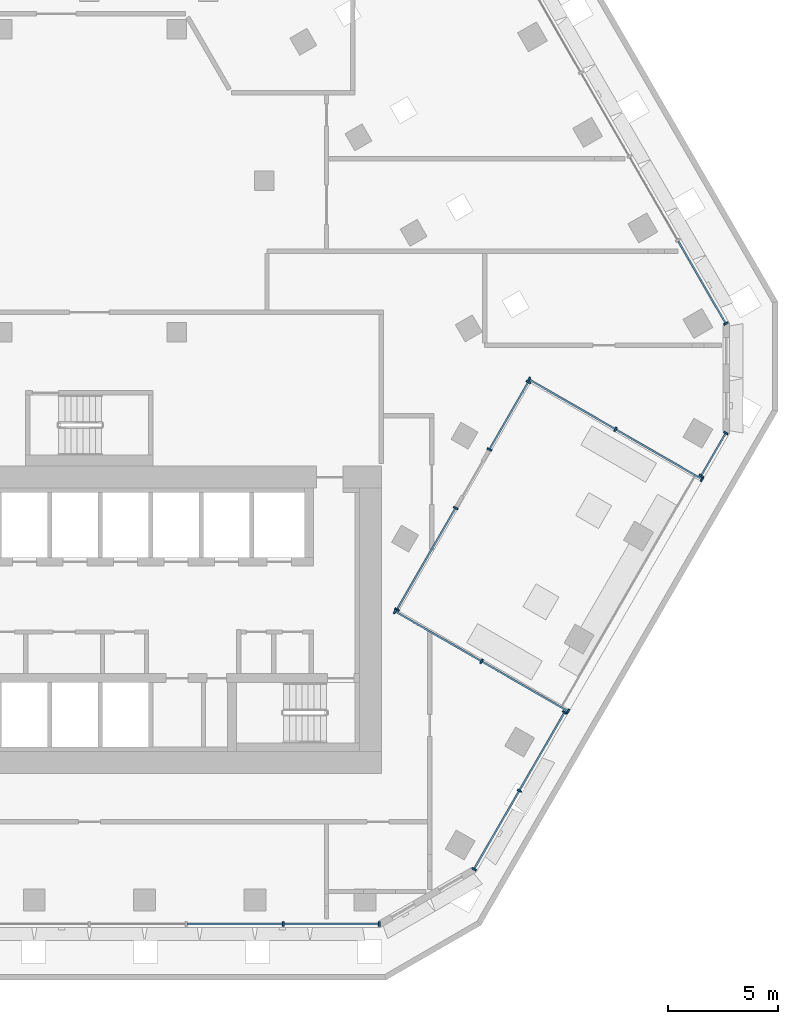
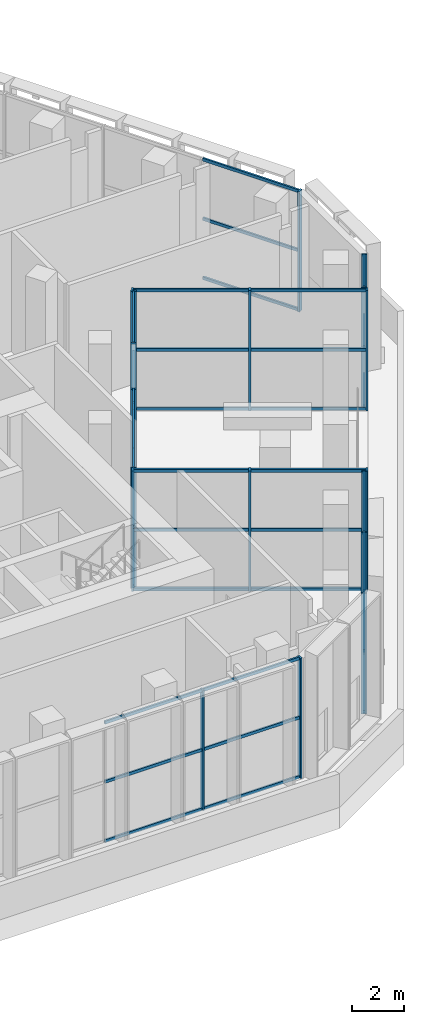
# One storey, part 3 of 23: 54 members, 8 elements without a shape of their own.
"""IFC4 building model written with IfcOpenShell, lengths in metres."""

from ifc_helpers import new_model, si_unit, direction, frame, origin, origin_2d, place, context, subcontext, project, spatial, rectangle, hollow_rectangle, extrude, material, material_profile, profile_set, type_object, element, aggregate, save


model = new_model("IFC4")

# Units and contexts
model_context = context("Model", 3, precision=1e-05, world=origin(), true_north=direction((0.0, 1.0)))
body_context = subcontext(model_context, "Body", "Model", "MODEL_VIEW")
ifc_project = project(units=[si_unit("LENGTHUNIT", "METRE"), si_unit("AREAUNIT", "SQUARE_METRE"), si_unit("VOLUMEUNIT", "CUBIC_METRE"), si_unit("PLANEANGLEUNIT", "RADIAN"), si_unit("MASSUNIT", "GRAM", prefix="KILO")], contexts=[model_context])

# Site, building, storey
site_placement = place(None, origin())
site = spatial("IfcSite", under=ifc_project, at=site_placement, CompositionType="ELEMENT")
building_placement = place(site_placement, origin())
building = spatial("IfcBuilding", under=site, at=building_placement, Name="Beryl Residences", CompositionType="ELEMENT")
storey_placement = place(building_placement, frame((0.0, 0.0, 66.0)))
storey = spatial("IfcBuildingStorey", under=building, at=storey_placement, Name="L20", CompositionType="ELEMENT", Elevation=66.0)

# Curtain wall, members
ifc_material_1 = material(Name="Aluminium and clear glass", Category="aluminium")
curtain_wall_type = type_object("IfcCurtainWallType", Name="CW3 sky garden glazing glazed wall", PredefinedType="NOTDEFINED", material=ifc_material_1)
curtain_wall_1_placement = place(storey_placement, origin())
curtain_wall_1 = element("IfcCurtainWall", 1, at=curtain_wall_1_placement, inside=storey, type_object=curtain_wall_type, Name="CW3 L20 S", PredefinedType="NOTDEFINED")
ifc_material_2 = material(Name="Aluminium", Category="aluminium")
ifc_material_profile_1 = material_profile(ifc_material_2, rectangle(XDim=0.080078125, YDim=0.219970703125, at=origin_2d()))
ifc_profile_set_1 = profile_set([ifc_material_profile_1], Name="Aluminium")
member_type_1 = type_object("IfcMemberType", Name="CW3-M mullion 80 x 220 mm", PredefinedType="MULLION", material=ifc_profile_set_1)
member_1_placement = place(storey_placement, frame((8.825927734375, -25.85009765625, 0.0), z_axis=(0.0, 0.0, 1.0), x_axis=(1.0, 0.0, 0.0)))
member_1 = element("IfcMember", 2, at=member_1_placement, type_object=member_type_1, Name="CW3 mullion 6", PredefinedType="MULLION", context=body_context, shape_type="SweptSolid", body=[
    extrude(rectangle(XDim=0.080078125, YDim=0.219970703125, at=origin_2d()), origin(), (0.0, 0.0, 1.0), 5.699951171875),
])
member_2_placement = place(storey_placement, frame((13.198974609375, -25.85009765625, 0.0), z_axis=(0.0, 0.0, 1.0), x_axis=(1.0, 0.0, 0.0)))
member_2 = element("IfcMember", 3, at=member_2_placement, type_object=member_type_1, Name="CW3 mullion 7", PredefinedType="MULLION", context=body_context, shape_type="SweptSolid", body=[
    extrude(rectangle(XDim=0.080078125, YDim=0.219970703125, at=origin_2d()), origin(), (0.0, 0.0, 1.0), 5.699951171875),
])

curtain_wall_2_placement = place(storey_placement, origin())
curtain_wall_2 = element("IfcCurtainWall", 4, at=curtain_wall_2_placement, inside=storey, type_object=curtain_wall_type, Name="CW3 L20 SE", PredefinedType="NOTDEFINED")
member_3_placement = place(storey_placement, frame((17.52001953125, -23.35546875, 0.0), z_axis=(0.0, 0.0, 1.0), x_axis=(0.500037611077, 0.86600368793, 0.0)))
member_3 = element("IfcMember", 5, at=member_3_placement, type_object=member_type_1, Name="CW3 mullion 1", PredefinedType="MULLION", context=body_context, shape_type="SweptSolid", body=[
    extrude(rectangle(XDim=0.080078125, YDim=0.219970703125, at=origin_2d()), origin(), (0.0, 0.0, 1.0), 5.699951171875),
])
member_4_placement = place(storey_placement, frame((19.5830078125, -19.782470703125, 0.0), z_axis=(0.0, 0.0, 1.0), x_axis=(0.500037611077, 0.86600368793, 0.0)))
member_4 = element("IfcMember", 6, at=member_4_placement, type_object=member_type_1, Name="CW3 mullion 2", PredefinedType="MULLION", context=body_context, shape_type="SweptSolid", body=[
    extrude(rectangle(XDim=0.080078125, YDim=0.219970703125, at=origin_2d()), origin(), (0.0, 0.0, 1.0), 5.699951171875),
])
member_5_placement = place(storey_placement, frame((21.64599609375, -16.209716796875, 0.0), z_axis=(0.0, 0.0, 1.0), x_axis=(0.500037611077, 0.86600368793, 0.0)))
member_5 = element("IfcMember", 7, at=member_5_placement, type_object=member_type_1, Name="CW3 mullion 3", PredefinedType="MULLION", context=body_context, shape_type="SweptSolid", body=[
    extrude(rectangle(XDim=0.080078125, YDim=0.219970703125, at=origin_2d()), origin(), (0.0, 0.0, 1.0), 5.699951171875),
])

curtain_wall_3_placement = place(storey_placement, origin())
curtain_wall_3 = element("IfcCurtainWall", 8, at=curtain_wall_3_placement, inside=storey, type_object=curtain_wall_type, Name="CW3 L20 SE", PredefinedType="NOTDEFINED")
member_6_placement = place(storey_placement, frame((27.861083984375, -5.4443359375, 0.0), z_axis=(0.0, 0.0, 1.0), x_axis=(0.500106088592, 0.865964144843, 0.0)))
member_6 = element("IfcMember", 9, at=member_6_placement, type_object=member_type_1, Name="CW3 mullion 1", PredefinedType="MULLION", context=body_context, shape_type="SweptSolid", body=[
    extrude(rectangle(XDim=0.080078125, YDim=0.219970703125, at=origin_2d()), origin(), (0.0, 0.0, 1.0), 5.699951171875),
])
member_7_placement = place(storey_placement, frame((28.987060546875, -3.49462890625, 0.0), z_axis=(0.0, 0.0, 1.0), x_axis=(0.500106088592, 0.865964144843, 0.0)))
member_7 = element("IfcMember", 10, at=member_7_placement, type_object=member_type_1, Name="CW3 mullion 2", PredefinedType="MULLION", context=body_context, shape_type="SweptSolid", body=[
    extrude(rectangle(XDim=0.080078125, YDim=0.219970703125, at=origin_2d()), origin(), (0.0, 0.0, 1.0), 5.699951171875),
])

# Curtain wall, member
curtain_wall_4_placement = place(storey_placement, origin())
curtain_wall_4 = element("IfcCurtainWall", 11, at=curtain_wall_4_placement, inside=storey, type_object=curtain_wall_type, Name="CW3 L20 NE", PredefinedType="NOTDEFINED")
member_8_placement = place(storey_placement, frame((28.987060546875, 1.49462890625, 0.0), z_axis=(0.0, 0.0, 1.0), x_axis=(-0.500010149942, 0.866019543634, 0.0)))
member_8 = element("IfcMember", 12, at=member_8_placement, type_object=member_type_1, Name="CW3 mullion 1", PredefinedType="MULLION", context=body_context, shape_type="SweptSolid", body=[
    extrude(rectangle(XDim=0.080078125, YDim=0.219970703125, at=origin_2d()), origin(), (0.0, 0.0, 1.0), 5.699951171875),
])

# Curtain wall, members
curtain_wall_5_placement = place(storey_placement, origin())
curtain_wall_5 = element("IfcCurtainWall", 13, at=curtain_wall_5_placement, inside=storey, type_object=curtain_wall_type, Name="CW3 L20 SE garden back", PredefinedType="NOTDEFINED")
member_9_placement = place(storey_placement, frame((14.010009765625, -11.535400390625, 0.0), z_axis=(0.0, 0.0, 1.0), x_axis=(0.499945861541, 0.866056658382, 0.0)))
member_9 = element("IfcMember", 14, at=member_9_placement, type_object=member_type_1, Name="CW3 mullion 1", PredefinedType="MULLION", context=body_context, shape_type="SweptSolid", body=[
    extrude(rectangle(XDim=0.080078125, YDim=0.219970703125, at=origin_2d()), origin(), (0.0, 0.0, 1.0), 5.699951171875),
])
member_10_placement = place(storey_placement, frame((16.681884765625, -6.90673828125, 0.0), z_axis=(0.0, 0.0, 1.0), x_axis=(0.499945861541, 0.866056658382, 0.0)))
member_10 = element("IfcMember", 15, at=member_10_placement, type_object=member_type_1, Name="CW3 mullion 2", PredefinedType="MULLION", context=body_context, shape_type="SweptSolid", body=[
    extrude(rectangle(XDim=0.080078125, YDim=0.219970703125, at=origin_2d()), origin(), (0.0, 0.0, 1.0), 5.699951171875),
])

curtain_wall_6_placement = place(storey_placement, origin())
curtain_wall_6 = element("IfcCurtainWall", 16, at=curtain_wall_6_placement, inside=storey, type_object=curtain_wall_type, Name="CW3 L20 SE garden back", PredefinedType="NOTDEFINED")
member_11_placement = place(storey_placement, frame((18.221923828125, -4.2392578125, 0.0), z_axis=(0.0, 0.0, 1.0), x_axis=(0.500024853773, 0.866011053976, 0.0)))
member_11 = element("IfcMember", 17, at=member_11_placement, type_object=member_type_1, Name="CW3 mullion 1", PredefinedType="MULLION", context=body_context, shape_type="SweptSolid", body=[
    extrude(rectangle(XDim=0.080078125, YDim=0.219970703125, at=origin_2d()), origin(), (0.0, 0.0, 1.0), 5.699951171875),
])
member_12_placement = place(storey_placement, frame((19.9951171875, -1.168701171875, 0.0), z_axis=(0.0, 0.0, 1.0), x_axis=(0.500024853773, 0.866011053976, 0.0)))
member_12 = element("IfcMember", 18, at=member_12_placement, type_object=member_type_1, Name="CW3 mullion 2", PredefinedType="MULLION", context=body_context, shape_type="SweptSolid", body=[
    extrude(rectangle(XDim=0.080078125, YDim=0.219970703125, at=origin_2d()), origin(), (0.0, 0.0, 1.0), 5.699951171875),
])

curtain_wall_7_placement = place(storey_placement, origin())
curtain_wall_7 = element("IfcCurtainWall", 19, at=curtain_wall_7_placement, inside=storey, type_object=curtain_wall_type, Name="CW3 L20 SE garden left", PredefinedType="NOTDEFINED")
member_13_placement = place(storey_placement, frame((21.79833984375, -16.1650390625, 0.0), z_axis=(0.0, 0.0, 1.0), x_axis=(-0.866007717298, 0.500030632642, 0.0)))
member_13 = element("IfcMember", 20, at=member_13_placement, type_object=member_type_1, Name="CW3 mullion 1", PredefinedType="MULLION", context=body_context, shape_type="SweptSolid", body=[
    extrude(rectangle(XDim=0.080078125, YDim=0.219970703125, at=origin_2d()), origin(), (0.0, 0.0, 1.0), 5.699951171875),
])
member_14_placement = place(storey_placement, frame((17.860107421875, -13.89111328125, 0.0), z_axis=(0.0, 0.0, 1.0), x_axis=(-0.866007717298, 0.500030632642, 0.0)))
member_14 = element("IfcMember", 21, at=member_14_placement, type_object=member_type_1, Name="CW3 mullion 2", PredefinedType="MULLION", context=body_context, shape_type="SweptSolid", body=[
    extrude(rectangle(XDim=0.080078125, YDim=0.219970703125, at=origin_2d()), origin(), (0.0, 0.0, 1.0), 5.699951171875),
])
member_15_placement = place(storey_placement, frame((13.921630859375, -11.616943359375, 0.0), z_axis=(0.0, 0.0, 1.0), x_axis=(-0.866007717298, 0.500030632642, 0.0)))
member_15 = element("IfcMember", 22, at=member_15_placement, type_object=member_type_1, Name="CW3 mullion 3", PredefinedType="MULLION", context=body_context, shape_type="SweptSolid", body=[
    extrude(rectangle(XDim=0.080078125, YDim=0.219970703125, at=origin_2d()), origin(), (0.0, 0.0, 1.0), 5.699951171875),
])

curtain_wall_8_placement = place(storey_placement, origin())
curtain_wall_8 = element("IfcCurtainWall", 23, at=curtain_wall_8_placement, inside=storey, type_object=curtain_wall_type, Name="CW3 L20 SE garden right", PredefinedType="NOTDEFINED")
member_16_placement = place(storey_placement, frame((27.8984375, -5.59912109375, 0.0), z_axis=(0.0, 0.0, 1.0), x_axis=(-0.866054910532, 0.499948889332, 0.0)))
member_16 = element("IfcMember", 24, at=member_16_placement, type_object=member_type_1, Name="CW3 mullion 1", PredefinedType="MULLION", context=body_context, shape_type="SweptSolid", body=[
    extrude(rectangle(XDim=0.080078125, YDim=0.219970703125, at=origin_2d()), origin(), (0.0, 0.0, 1.0), 5.699951171875),
])
member_17_placement = place(storey_placement, frame((23.9599609375, -3.325439453125, 0.0), z_axis=(0.0, 0.0, 1.0), x_axis=(-0.866054910532, 0.499948889332, 0.0)))
member_17 = element("IfcMember", 25, at=member_17_placement, type_object=member_type_1, Name="CW3 mullion 2", PredefinedType="MULLION", context=body_context, shape_type="SweptSolid", body=[
    extrude(rectangle(XDim=0.080078125, YDim=0.219970703125, at=origin_2d()), origin(), (0.0, 0.0, 1.0), 5.699951171875),
])
member_18_placement = place(storey_placement, frame((20.021728515625, -1.052001953125, 0.0), z_axis=(0.0, 0.0, 1.0), x_axis=(-0.866054910532, 0.499948889332, 0.0)))
member_18 = element("IfcMember", 26, at=member_18_placement, type_object=member_type_1, Name="CW3 mullion 3", PredefinedType="MULLION", context=body_context, shape_type="SweptSolid", body=[
    extrude(rectangle(XDim=0.080078125, YDim=0.219970703125, at=origin_2d()), origin(), (0.0, 0.0, 1.0), 5.699951171875),
])

# Member
ifc_material_3 = material(Name="Aluminium", Category="aluminium")
ifc_material_profile_2 = material_profile(ifc_material_3, hollow_rectangle(XDim=0.080078125, YDim=0.139892578125, WallThickness=0.00390625, at=origin_2d()))
ifc_profile_set_2 = profile_set([ifc_material_profile_2], Name="Aluminium")
member_type_2 = type_object("IfcMemberType", Name="CW3-T transom 80 x 140 mm", PredefinedType="USERDEFINED", material=ifc_profile_set_2)
member_19_placement = place(storey_placement, frame((4.452880859375, -25.85009765625, 0.0400390625), z_axis=(1.0, 0.0, 0.0), x_axis=(0.0, 1.0, 0.0)))
member_19 = element("IfcMember", 27, at=member_19_placement, type_object=member_type_2, Name="CW3 transom 5.1", ObjectType="TRANSOM", PredefinedType="USERDEFINED", context=body_context, shape_type="SweptSolid", body=[
    extrude(hollow_rectangle(XDim=0.080078125, YDim=0.139892578125, WallThickness=0.00390625, at=origin_2d()), origin(), (0.0, 0.0, 1.0), 4.3330078125),
])

member_20_placement = place(storey_placement, frame((4.452880859375, -25.85009765625, 2.85009765625), z_axis=(1.0, 0.0, 0.0), x_axis=(0.0, 1.0, 0.0)))
member_20 = element("IfcMember", 28, at=member_20_placement, type_object=member_type_2, Name="CW3 transom 5.2", ObjectType="TRANSOM", PredefinedType="USERDEFINED", context=body_context, shape_type="SweptSolid", body=[
    extrude(hollow_rectangle(XDim=0.080078125, YDim=0.139892578125, WallThickness=0.00390625, at=origin_2d()), origin(), (0.0, 0.0, 1.0), 4.3330078125),
])

member_21_placement = place(storey_placement, frame((4.452880859375, -25.85009765625, 5.659912109375), z_axis=(1.0, 0.0, 0.0), x_axis=(0.0, 1.0, 0.0)))
member_21 = element("IfcMember", 29, at=member_21_placement, type_object=member_type_2, Name="CW3 transom 5.3", ObjectType="TRANSOM", PredefinedType="USERDEFINED", context=body_context, shape_type="SweptSolid", body=[
    extrude(hollow_rectangle(XDim=0.080078125, YDim=0.139892578125, WallThickness=0.00390625, at=origin_2d()), origin(), (0.0, 0.0, 1.0), 4.3330078125),
])

member_22_placement = place(storey_placement, frame((8.865966796875, -25.85009765625, 0.0400390625), z_axis=(1.0, 0.0, 0.0), x_axis=(0.0, 1.0, 0.0)))
member_22 = element("IfcMember", 30, at=member_22_placement, type_object=member_type_2, Name="CW3 transom 6.1", ObjectType="TRANSOM", PredefinedType="USERDEFINED", context=body_context, shape_type="SweptSolid", body=[
    extrude(hollow_rectangle(XDim=0.080078125, YDim=0.139892578125, WallThickness=0.00390625, at=origin_2d()), origin(), (0.0, 0.0, 1.0), 4.29296875),
])

member_23_placement = place(storey_placement, frame((8.865966796875, -25.85009765625, 2.85009765625), z_axis=(1.0, 0.0, 0.0), x_axis=(0.0, 1.0, 0.0)))
member_23 = element("IfcMember", 31, at=member_23_placement, type_object=member_type_2, Name="CW3 transom 6.2", ObjectType="TRANSOM", PredefinedType="USERDEFINED", context=body_context, shape_type="SweptSolid", body=[
    extrude(hollow_rectangle(XDim=0.080078125, YDim=0.139892578125, WallThickness=0.00390625, at=origin_2d()), origin(), (0.0, 0.0, 1.0), 4.29296875),
])

member_24_placement = place(storey_placement, frame((8.865966796875, -25.85009765625, 5.659912109375), z_axis=(1.0, 0.0, 0.0), x_axis=(0.0, 1.0, 0.0)))
member_24 = element("IfcMember", 32, at=member_24_placement, type_object=member_type_2, Name="CW3 transom 6.3", ObjectType="TRANSOM", PredefinedType="USERDEFINED", context=body_context, shape_type="SweptSolid", body=[
    extrude(hollow_rectangle(XDim=0.080078125, YDim=0.139892578125, WallThickness=0.00390625, at=origin_2d()), origin(), (0.0, 0.0, 1.0), 4.29296875),
])

aggregate(curtain_wall_1, [member_1, member_2, member_19, member_20, member_21, member_22, member_23, member_24])

member_25_placement = place(storey_placement, frame((17.5400390625, -23.32080078125, 0.0400390625), z_axis=(0.500020198311, 0.86601374197, 0.0), x_axis=(-0.86601374197, 0.500020198311, 0.0)))
member_25 = element("IfcMember", 33, at=member_25_placement, type_object=member_type_2, Name="CW3 transom 1.1", ObjectType="TRANSOM", PredefinedType="USERDEFINED", context=body_context, shape_type="SweptSolid", body=[
    extrude(hollow_rectangle(XDim=0.080078125, YDim=0.139892578125, WallThickness=0.00390625, at=origin_2d()), origin(), (0.0, 0.0, 1.0), 4.045654296875),
])

member_26_placement = place(storey_placement, frame((17.5400390625, -23.32080078125, 2.85009765625), z_axis=(0.500020198311, 0.86601374197, 0.0), x_axis=(-0.86601374197, 0.500020198311, 0.0)))
member_26 = element("IfcMember", 34, at=member_26_placement, type_object=member_type_2, Name="CW3 transom 1.2", ObjectType="TRANSOM", PredefinedType="USERDEFINED", context=body_context, shape_type="SweptSolid", body=[
    extrude(hollow_rectangle(XDim=0.080078125, YDim=0.139892578125, WallThickness=0.00390625, at=origin_2d()), origin(), (0.0, 0.0, 1.0), 4.045654296875),
])

member_27_placement = place(storey_placement, frame((17.5400390625, -23.32080078125, 5.659912109375), z_axis=(0.500020198311, 0.86601374197, 0.0), x_axis=(-0.86601374197, 0.500020198311, 0.0)))
member_27 = element("IfcMember", 35, at=member_27_placement, type_object=member_type_2, Name="CW3 transom 1.3", ObjectType="TRANSOM", PredefinedType="USERDEFINED", context=body_context, shape_type="SweptSolid", body=[
    extrude(hollow_rectangle(XDim=0.080078125, YDim=0.139892578125, WallThickness=0.00390625, at=origin_2d()), origin(), (0.0, 0.0, 1.0), 4.045654296875),
])

member_28_placement = place(storey_placement, frame((19.60302734375, -19.747802734375, 0.0400390625), z_axis=(0.500046330384, 0.865998653272, 0.0), x_axis=(-0.865998653272, 0.500046330384, 0.0)))
member_28 = element("IfcMember", 36, at=member_28_placement, type_object=member_type_2, Name="CW3 transom 2.1", ObjectType="TRANSOM", PredefinedType="USERDEFINED", context=body_context, shape_type="SweptSolid", body=[
    extrude(hollow_rectangle(XDim=0.080078125, YDim=0.139892578125, WallThickness=0.00390625, at=origin_2d()), origin(), (0.0, 0.0, 1.0), 4.04541015625),
])

member_29_placement = place(storey_placement, frame((19.60302734375, -19.747802734375, 2.85009765625), z_axis=(0.500046330384, 0.865998653272, 0.0), x_axis=(-0.865998653272, 0.500046330384, 0.0)))
member_29 = element("IfcMember", 37, at=member_29_placement, type_object=member_type_2, Name="CW3 transom 2.2", ObjectType="TRANSOM", PredefinedType="USERDEFINED", context=body_context, shape_type="SweptSolid", body=[
    extrude(hollow_rectangle(XDim=0.080078125, YDim=0.139892578125, WallThickness=0.00390625, at=origin_2d()), origin(), (0.0, 0.0, 1.0), 4.04541015625),
])

member_30_placement = place(storey_placement, frame((19.60302734375, -19.747802734375, 5.659912109375), z_axis=(0.500046330384, 0.865998653272, 0.0), x_axis=(-0.865998653272, 0.500046330384, 0.0)))
member_30 = element("IfcMember", 38, at=member_30_placement, type_object=member_type_2, Name="CW3 transom 2.3", ObjectType="TRANSOM", PredefinedType="USERDEFINED", context=body_context, shape_type="SweptSolid", body=[
    extrude(hollow_rectangle(XDim=0.080078125, YDim=0.139892578125, WallThickness=0.00390625, at=origin_2d()), origin(), (0.0, 0.0, 1.0), 4.04541015625),
])

aggregate(curtain_wall_2, [member_3, member_4, member_5, member_25, member_26, member_27, member_28, member_29, member_30])

member_31_placement = place(storey_placement, frame((27.881103515625, -5.40966796875, 0.0400390625), z_axis=(0.5001052534, 0.865964627177, 0.0), x_axis=(-0.865964627177, 0.5001052534, 0.0)))
member_31 = element("IfcMember", 39, at=member_31_placement, type_object=member_type_2, Name="CW3 transom 1.1", ObjectType="TRANSOM", PredefinedType="USERDEFINED", context=body_context, shape_type="SweptSolid", body=[
    extrude(hollow_rectangle(XDim=0.080078125, YDim=0.139892578125, WallThickness=0.00390625, at=origin_2d()), origin(), (0.0, 0.0, 1.0), 2.17138671875),
])

member_32_placement = place(storey_placement, frame((27.881103515625, -5.40966796875, 2.85009765625), z_axis=(0.5001052534, 0.865964627177, 0.0), x_axis=(-0.865964627177, 0.5001052534, 0.0)))
member_32 = element("IfcMember", 40, at=member_32_placement, type_object=member_type_2, Name="CW3 transom 1.2", ObjectType="TRANSOM", PredefinedType="USERDEFINED", context=body_context, shape_type="SweptSolid", body=[
    extrude(hollow_rectangle(XDim=0.080078125, YDim=0.139892578125, WallThickness=0.00390625, at=origin_2d()), origin(), (0.0, 0.0, 1.0), 2.17138671875),
])

member_33_placement = place(storey_placement, frame((27.881103515625, -5.40966796875, 5.659912109375), z_axis=(0.5001052534, 0.865964627177, 0.0), x_axis=(-0.865964627177, 0.5001052534, 0.0)))
member_33 = element("IfcMember", 41, at=member_33_placement, type_object=member_type_2, Name="CW3 transom 1.3", ObjectType="TRANSOM", PredefinedType="USERDEFINED", context=body_context, shape_type="SweptSolid", body=[
    extrude(hollow_rectangle(XDim=0.080078125, YDim=0.139892578125, WallThickness=0.00390625, at=origin_2d()), origin(), (0.0, 0.0, 1.0), 2.17138671875),
])

aggregate(curtain_wall_3, [member_6, member_7, member_31, member_32, member_33])

member_34_placement = place(storey_placement, frame((28.967041015625, 1.529296875, 0.0400390625), z_axis=(-0.500004696101, 0.866022692473, 0.0), x_axis=(-0.866022692473, -0.500004696101, 0.0)))
member_34 = element("IfcMember", 42, at=member_34_placement, type_object=member_type_2, Name="CW3 transom 1.1", ObjectType="TRANSOM", PredefinedType="USERDEFINED", context=body_context, shape_type="SweptSolid", body=[
    extrude(hollow_rectangle(XDim=0.080078125, YDim=0.139892578125, WallThickness=0.00390625, at=origin_2d()), origin(), (0.0, 0.0, 1.0), 4.29296875),
])

member_35_placement = place(storey_placement, frame((28.967041015625, 1.529296875, 2.85009765625), z_axis=(-0.500004696101, 0.866022692473, 0.0), x_axis=(-0.866022692473, -0.500004696101, 0.0)))
member_35 = element("IfcMember", 43, at=member_35_placement, type_object=member_type_2, Name="CW3 transom 1.2", ObjectType="TRANSOM", PredefinedType="USERDEFINED", context=body_context, shape_type="SweptSolid", body=[
    extrude(hollow_rectangle(XDim=0.080078125, YDim=0.139892578125, WallThickness=0.00390625, at=origin_2d()), origin(), (0.0, 0.0, 1.0), 4.29296875),
])

member_36_placement = place(storey_placement, frame((28.967041015625, 1.529296875, 5.659912109375), z_axis=(-0.500004696101, 0.866022692473, 0.0), x_axis=(-0.866022692473, -0.500004696101, 0.0)))
member_36 = element("IfcMember", 44, at=member_36_placement, type_object=member_type_2, Name="CW3 transom 1.3", ObjectType="TRANSOM", PredefinedType="USERDEFINED", context=body_context, shape_type="SweptSolid", body=[
    extrude(hollow_rectangle(XDim=0.080078125, YDim=0.139892578125, WallThickness=0.00390625, at=origin_2d()), origin(), (0.0, 0.0, 1.0), 4.29296875),
])

aggregate(curtain_wall_4, [member_8, member_34, member_35, member_36])

member_37_placement = place(storey_placement, frame((14.030029296875, -11.500732421875, 0.0400390625), z_axis=(0.499964652494, 0.866045810715, 0.0), x_axis=(-0.866045810715, 0.499964652494, 0.0)))
member_37 = element("IfcMember", 45, at=member_37_placement, type_object=member_type_2, Name="CW3 transom 1.1", ObjectType="TRANSOM", PredefinedType="USERDEFINED", context=body_context, shape_type="SweptSolid", body=[
    extrude(hollow_rectangle(XDim=0.080078125, YDim=0.139892578125, WallThickness=0.00390625, at=origin_2d()), origin(), (0.0, 0.0, 1.0), 5.2646484375),
])

member_38_placement = place(storey_placement, frame((14.030029296875, -11.500732421875, 2.85009765625), z_axis=(0.499964652494, 0.866045810715, 0.0), x_axis=(-0.866045810715, 0.499964652494, 0.0)))
member_38 = element("IfcMember", 46, at=member_38_placement, type_object=member_type_2, Name="CW3 transom 1.2", ObjectType="TRANSOM", PredefinedType="USERDEFINED", context=body_context, shape_type="SweptSolid", body=[
    extrude(hollow_rectangle(XDim=0.080078125, YDim=0.139892578125, WallThickness=0.00390625, at=origin_2d()), origin(), (0.0, 0.0, 1.0), 5.2646484375),
])

member_39_placement = place(storey_placement, frame((14.030029296875, -11.500732421875, 5.659912109375), z_axis=(0.499964652494, 0.866045810715, 0.0), x_axis=(-0.866045810715, 0.499964652494, 0.0)))
member_39 = element("IfcMember", 47, at=member_39_placement, type_object=member_type_2, Name="CW3 transom 1.3", ObjectType="TRANSOM", PredefinedType="USERDEFINED", context=body_context, shape_type="SweptSolid", body=[
    extrude(hollow_rectangle(XDim=0.080078125, YDim=0.139892578125, WallThickness=0.00390625, at=origin_2d()), origin(), (0.0, 0.0, 1.0), 5.2646484375),
])

aggregate(curtain_wall_5, [member_9, member_10, member_37, member_38, member_39])

member_40_placement = place(storey_placement, frame((18.241943359375, -4.204833984375, 0.0400390625), z_axis=(0.500055776627, 0.865993198739, 0.0), x_axis=(-0.865993198739, 0.500055776627, 0.0)))
member_40 = element("IfcMember", 48, at=member_40_placement, type_object=member_type_2, Name="CW3 transom 1.1", ObjectType="TRANSOM", PredefinedType="USERDEFINED", context=body_context, shape_type="SweptSolid", body=[
    extrude(hollow_rectangle(XDim=0.080078125, YDim=0.139892578125, WallThickness=0.00390625, at=origin_2d()), origin(), (0.0, 0.0, 1.0), 3.4658203125),
])

member_41_placement = place(storey_placement, frame((18.241943359375, -4.204833984375, 2.85009765625), z_axis=(0.500055776627, 0.865993198739, 0.0), x_axis=(-0.865993198739, 0.500055776627, 0.0)))
member_41 = element("IfcMember", 49, at=member_41_placement, type_object=member_type_2, Name="CW3 transom 1.2", ObjectType="TRANSOM", PredefinedType="USERDEFINED", context=body_context, shape_type="SweptSolid", body=[
    extrude(hollow_rectangle(XDim=0.080078125, YDim=0.139892578125, WallThickness=0.00390625, at=origin_2d()), origin(), (0.0, 0.0, 1.0), 3.4658203125),
])

member_42_placement = place(storey_placement, frame((18.241943359375, -4.204833984375, 5.659912109375), z_axis=(0.500055776627, 0.865993198739, 0.0), x_axis=(-0.865993198739, 0.500055776627, 0.0)))
member_42 = element("IfcMember", 50, at=member_42_placement, type_object=member_type_2, Name="CW3 transom 1.3", ObjectType="TRANSOM", PredefinedType="USERDEFINED", context=body_context, shape_type="SweptSolid", body=[
    extrude(hollow_rectangle(XDim=0.080078125, YDim=0.139892578125, WallThickness=0.00390625, at=origin_2d()), origin(), (0.0, 0.0, 1.0), 3.4658203125),
])

aggregate(curtain_wall_6, [member_11, member_12, member_40, member_41, member_42])

member_43_placement = place(storey_placement, frame((21.763671875, -16.14501953125, 0.0400390625), z_axis=(-0.865998122297, 0.500047249946, 0.0), x_axis=(-0.500047249946, -0.865998122297, 0.0)))
member_43 = element("IfcMember", 51, at=member_43_placement, type_object=member_type_2, Name="CW3 transom 1.1", ObjectType="TRANSOM", PredefinedType="USERDEFINED", context=body_context, shape_type="SweptSolid", body=[
    extrude(hollow_rectangle(XDim=0.080078125, YDim=0.139892578125, WallThickness=0.00390625, at=origin_2d()), origin(), (0.0, 0.0, 1.0), 4.4677734375),
])

member_44_placement = place(storey_placement, frame((21.763671875, -16.14501953125, 2.85009765625), z_axis=(-0.865998122297, 0.500047249946, 0.0), x_axis=(-0.500047249946, -0.865998122297, 0.0)))
member_44 = element("IfcMember", 52, at=member_44_placement, type_object=member_type_2, Name="CW3 transom 1.2", ObjectType="TRANSOM", PredefinedType="USERDEFINED", context=body_context, shape_type="SweptSolid", body=[
    extrude(hollow_rectangle(XDim=0.080078125, YDim=0.139892578125, WallThickness=0.00390625, at=origin_2d()), origin(), (0.0, 0.0, 1.0), 4.4677734375),
])

member_45_placement = place(storey_placement, frame((21.763671875, -16.14501953125, 5.659912109375), z_axis=(-0.865998122297, 0.500047249946, 0.0), x_axis=(-0.500047249946, -0.865998122297, 0.0)))
member_45 = element("IfcMember", 53, at=member_45_placement, type_object=member_type_2, Name="CW3 transom 1.3", ObjectType="TRANSOM", PredefinedType="USERDEFINED", context=body_context, shape_type="SweptSolid", body=[
    extrude(hollow_rectangle(XDim=0.080078125, YDim=0.139892578125, WallThickness=0.00390625, at=origin_2d()), origin(), (0.0, 0.0, 1.0), 4.4677734375),
])

member_46_placement = place(storey_placement, frame((17.825439453125, -13.87109375, 0.0400390625), z_axis=(-0.865998122297, 0.500047249946, 0.0), x_axis=(-0.500047249946, -0.865998122297, 0.0)))
member_46 = element("IfcMember", 54, at=member_46_placement, type_object=member_type_2, Name="CW3 transom 2.1", ObjectType="TRANSOM", PredefinedType="USERDEFINED", context=body_context, shape_type="SweptSolid", body=[
    extrude(hollow_rectangle(XDim=0.080078125, YDim=0.139892578125, WallThickness=0.00390625, at=origin_2d()), origin(), (0.0, 0.0, 1.0), 4.4677734375),
])

member_47_placement = place(storey_placement, frame((17.825439453125, -13.87109375, 2.85009765625), z_axis=(-0.865998122297, 0.500047249946, 0.0), x_axis=(-0.500047249946, -0.865998122297, 0.0)))
member_47 = element("IfcMember", 55, at=member_47_placement, type_object=member_type_2, Name="CW3 transom 2.2", ObjectType="TRANSOM", PredefinedType="USERDEFINED", context=body_context, shape_type="SweptSolid", body=[
    extrude(hollow_rectangle(XDim=0.080078125, YDim=0.139892578125, WallThickness=0.00390625, at=origin_2d()), origin(), (0.0, 0.0, 1.0), 4.4677734375),
])

member_48_placement = place(storey_placement, frame((17.825439453125, -13.87109375, 5.659912109375), z_axis=(-0.865998122297, 0.500047249946, 0.0), x_axis=(-0.500047249946, -0.865998122297, 0.0)))
member_48 = element("IfcMember", 56, at=member_48_placement, type_object=member_type_2, Name="CW3 transom 2.3", ObjectType="TRANSOM", PredefinedType="USERDEFINED", context=body_context, shape_type="SweptSolid", body=[
    extrude(hollow_rectangle(XDim=0.080078125, YDim=0.139892578125, WallThickness=0.00390625, at=origin_2d()), origin(), (0.0, 0.0, 1.0), 4.4677734375),
])

aggregate(curtain_wall_7, [member_13, member_14, member_15, member_43, member_44, member_45, member_46, member_47, member_48])

member_49_placement = place(storey_placement, frame((27.86376953125, -5.5791015625, 0.0400390625), z_axis=(-0.866045447078, 0.49996528239, 0.0), x_axis=(-0.49996528239, -0.866045447078, 0.0)))
member_49 = element("IfcMember", 57, at=member_49_placement, type_object=member_type_2, Name="CW3 transom 1.1", ObjectType="TRANSOM", PredefinedType="USERDEFINED", context=body_context, shape_type="SweptSolid", body=[
    extrude(hollow_rectangle(XDim=0.080078125, YDim=0.139892578125, WallThickness=0.00390625, at=origin_2d()), origin(), (0.0, 0.0, 1.0), 4.467529296875),
])

member_50_placement = place(storey_placement, frame((27.86376953125, -5.5791015625, 2.85009765625), z_axis=(-0.866045447078, 0.49996528239, 0.0), x_axis=(-0.49996528239, -0.866045447078, 0.0)))
member_50 = element("IfcMember", 58, at=member_50_placement, type_object=member_type_2, Name="CW3 transom 1.2", ObjectType="TRANSOM", PredefinedType="USERDEFINED", context=body_context, shape_type="SweptSolid", body=[
    extrude(hollow_rectangle(XDim=0.080078125, YDim=0.139892578125, WallThickness=0.00390625, at=origin_2d()), origin(), (0.0, 0.0, 1.0), 4.467529296875),
])

member_51_placement = place(storey_placement, frame((27.86376953125, -5.5791015625, 5.659912109375), z_axis=(-0.866045447078, 0.49996528239, 0.0), x_axis=(-0.49996528239, -0.866045447078, 0.0)))
member_51 = element("IfcMember", 59, at=member_51_placement, type_object=member_type_2, Name="CW3 transom 1.3", ObjectType="TRANSOM", PredefinedType="USERDEFINED", context=body_context, shape_type="SweptSolid", body=[
    extrude(hollow_rectangle(XDim=0.080078125, YDim=0.139892578125, WallThickness=0.00390625, at=origin_2d()), origin(), (0.0, 0.0, 1.0), 4.467529296875),
])

member_52_placement = place(storey_placement, frame((23.92529296875, -3.305419921875, 0.0400390625), z_axis=(-0.866055449546, 0.499947955603, 0.0), x_axis=(-0.499947955603, -0.866055449546, 0.0)))
member_52 = element("IfcMember", 60, at=member_52_placement, type_object=member_type_2, Name="CW3 transom 2.1", ObjectType="TRANSOM", PredefinedType="USERDEFINED", context=body_context, shape_type="SweptSolid", body=[
    extrude(hollow_rectangle(XDim=0.080078125, YDim=0.139892578125, WallThickness=0.00390625, at=origin_2d()), origin(), (0.0, 0.0, 1.0), 4.46728515625),
])

member_53_placement = place(storey_placement, frame((23.92529296875, -3.305419921875, 2.85009765625), z_axis=(-0.866055449546, 0.499947955603, 0.0), x_axis=(-0.499947955603, -0.866055449546, 0.0)))
member_53 = element("IfcMember", 61, at=member_53_placement, type_object=member_type_2, Name="CW3 transom 2.2", ObjectType="TRANSOM", PredefinedType="USERDEFINED", context=body_context, shape_type="SweptSolid", body=[
    extrude(hollow_rectangle(XDim=0.080078125, YDim=0.139892578125, WallThickness=0.00390625, at=origin_2d()), origin(), (0.0, 0.0, 1.0), 4.46728515625),
])

member_54_placement = place(storey_placement, frame((23.92529296875, -3.305419921875, 5.659912109375), z_axis=(-0.866055449546, 0.499947955603, 0.0), x_axis=(-0.499947955603, -0.866055449546, 0.0)))
member_54 = element("IfcMember", 62, at=member_54_placement, type_object=member_type_2, Name="CW3 transom 2.3", ObjectType="TRANSOM", PredefinedType="USERDEFINED", context=body_context, shape_type="SweptSolid", body=[
    extrude(hollow_rectangle(XDim=0.080078125, YDim=0.139892578125, WallThickness=0.00390625, at=origin_2d()), origin(), (0.0, 0.0, 1.0), 4.46728515625),
])

aggregate(curtain_wall_8, [member_16, member_17, member_18, member_49, member_50, member_51, member_52, member_53, member_54])

save(model, "model.ifc")
